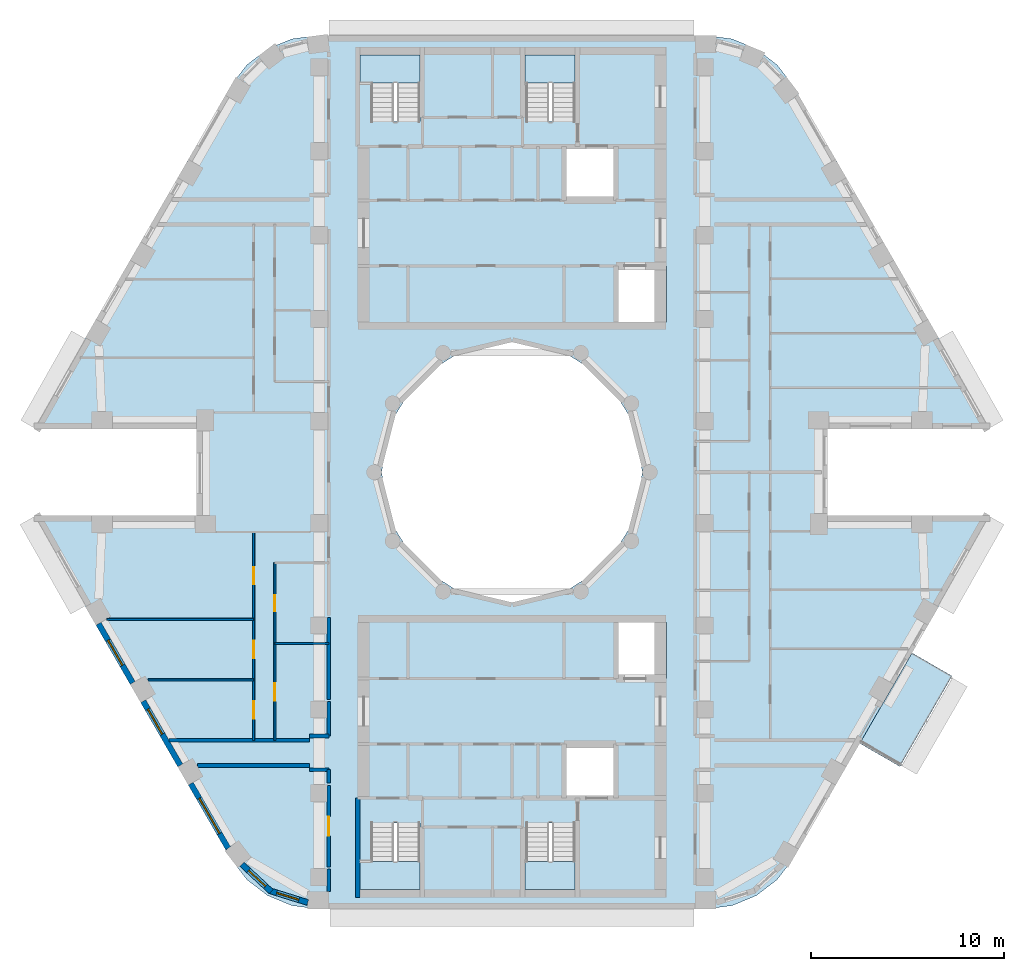
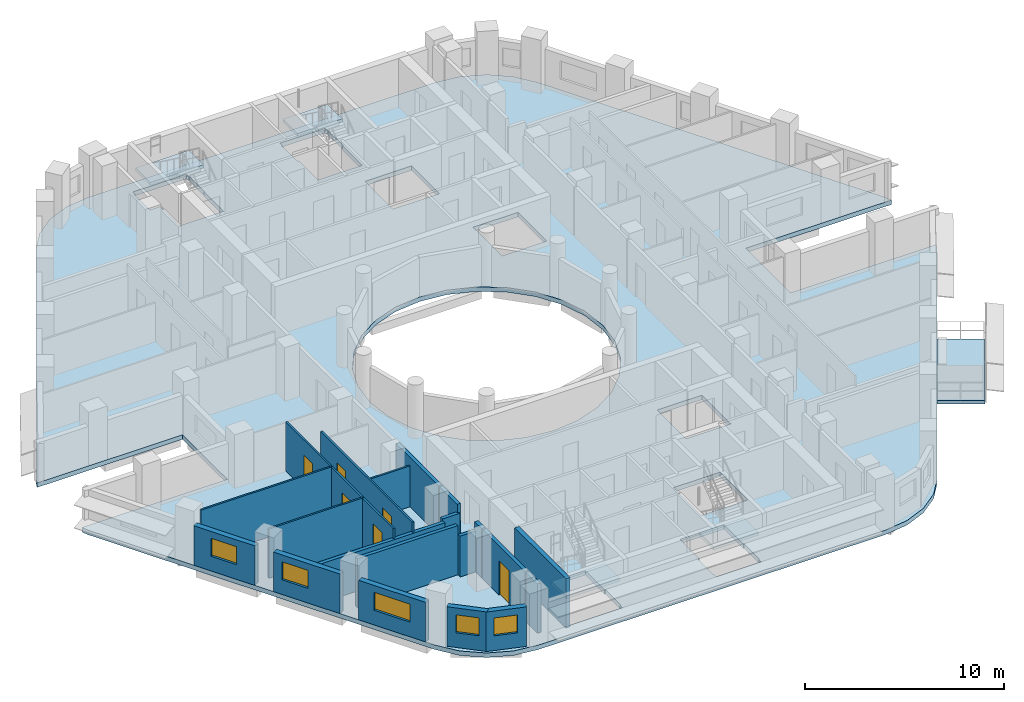
# One storey, part 2 of 12: 20 walls, 6 doors, 6 slabs, 5 windows, 11 openings, 4 elements without a shape of their own.
"""IFC4 building model written with IfcOpenShell, lengths in metres."""

from ifc_helpers import new_model, si_unit, direction, frame, frame_2d, origin, place, context, subcontext, project, spatial, polyline, rectangle, outline, extrude, material, layer, layer_set, type_object, element, fill, aggregate, save


model = new_model("IFC4")

# Units and contexts
model_context = context("Model", 3, precision=1e-05, world=origin(), true_north=direction((0.0, 1.0)))
body_context = subcontext(model_context, "Body", "Model", "MODEL_VIEW")
ifc_project = project(units=[si_unit("LENGTHUNIT", "METRE"), si_unit("AREAUNIT", "SQUARE_METRE"), si_unit("VOLUMEUNIT", "CUBIC_METRE"), si_unit("PLANEANGLEUNIT", "RADIAN"), si_unit("MASSUNIT", "GRAM", prefix="KILO")], contexts=[model_context])

# Site, building, storey
site_placement = place(None, origin())
site = spatial("IfcSite", under=ifc_project, at=site_placement, CompositionType="ELEMENT")
building_placement = place(site_placement, origin())
building = spatial("IfcBuilding", under=site, at=building_placement, Name="Nakaniwa Court", CompositionType="ELEMENT")
storey_placement = place(building_placement, frame((0.0, 0.0, 232.800048828125)))
storey = spatial("IfcBuildingStorey", under=building, at=storey_placement, Name="L60", CompositionType="ELEMENT", Elevation=232.800048828125)

# Slabs
ifc_material_1 = material(Name="Charcoal ceramic paver")
ifc_layer_1 = layer(ifc_material_1, 0.02, Name="Ceramic paver")
ifc_material_2 = material(Name="Cement sand screed")
ifc_layer_2 = layer(ifc_material_2, 0.03, Name="Falls screed")
ifc_material_3 = material(Name="Concrete C40/50", Category="concrete")
ifc_layer_3 = layer(ifc_material_3, 0.15, Name="Balcony slab")
ifc_layer_set_1 = layer_set([ifc_layer_1, ifc_layer_2, ifc_layer_3], Name="Concrete C40/50 balcony slab with ceramic paver finish")
slab_type_1 = type_object("IfcSlabType", Name="Balcony slab 200", PredefinedType="FLOOR", material=ifc_layer_set_1)
slab_1_placement = place(storey_placement, frame((0.0, 0.0, -0.25)))
element("IfcSlab", 1, at=slab_1_placement, inside=storey, type_object=slab_type_1, Name="L60 balcony 01", PredefinedType="FLOOR", context=body_context, shape_type="SweptSolid", body=[
    extrude(outline(polyline([(98.03662109375, 65.93994140625), (100.744140625, 70.629638671875), (102.822509765625, 69.4296875), (100.114990234375, 64.739990234375), (98.03662109375, 65.93994140625)])), origin(), (0.0, 0.0, 1.0), 0.199951171875),
])
ifc_material_4 = material(Name="Concrete C80/100", Category="concrete")
ifc_layer_4 = layer(ifc_material_4, 0.27490234375)
ifc_layer_set_2 = layer_set([ifc_layer_4], Name="Concrete C80/100")
slab_type_2 = type_object("IfcSlabType", Name="Concrete C80/100 post tensioned floor slab 275", PredefinedType="FLOOR", material=ifc_layer_set_2)
slab_2_placement = place(storey_placement, frame((0.0, 0.0, -0.275146484375)))
element("IfcSlab", 2, at=slab_2_placement, inside=storey, type_object=slab_type_2, Name="FLOOR SLAB", PredefinedType="FLOOR", context=body_context, shape_type="SweptSolid", body=[
    extrude(outline(polyline([(96.349609375, 82.25), (104.7978515625, 82.25), (104.65283203125, 82.60009765625), (94.578125, 100.050048828125), (93.751708984375, 101.126953125), (92.6748046875, 101.953369140625), (91.420654296875, 102.472900390625), (90.07470703125, 102.64990234375), (69.92529296875, 102.64990234375), (68.579345703125, 102.472900390625), (67.3251953125, 101.953369140625), (66.248291015625, 101.126953125), (65.421875, 100.050048828125), (55.34716796875, 82.60009765625), (55.2021484375, 82.25), (63.650390625, 82.25), (63.650390625, 77.75), (55.2021484375, 77.75), (55.34716796875, 77.39990234375), (65.421875, 59.949951171875), (66.248291015625, 58.873046875), (67.3251953125, 58.046630859375), (68.579345703125, 57.527099609375), (69.92529296875, 57.35009765625), (90.07470703125, 57.35009765625), (91.420654296875, 57.527099609375), (92.6748046875, 58.046630859375), (93.751708984375, 58.873046875), (94.578125, 59.949951171875), (104.65283203125, 77.39990234375), (104.7978515625, 77.75), (96.349609375, 77.75), (96.349609375, 82.25)]), holes=[polyline([(81.501953125, 86.580810546875), (80.0, 86.75), (78.498046875, 86.580810546875), (77.0712890625, 86.08154296875), (75.79150390625, 85.27734375), (74.72265625, 84.20849609375), (73.91845703125, 82.9287109375), (73.419189453125, 81.501953125), (73.25, 80.0), (73.419189453125, 78.498046875), (73.91845703125, 77.0712890625), (74.72265625, 75.79150390625), (75.79150390625, 74.72265625), (77.0712890625, 73.91845703125), (78.498046875, 73.419189453125), (80.0, 73.25), (81.501953125, 73.419189453125), (82.9287109375, 73.91845703125), (84.20849609375, 74.72265625), (85.27734375, 75.79150390625), (86.08154296875, 77.0712890625), (86.580810546875, 78.498046875), (86.75, 80.0), (86.580810546875, 81.501953125), (86.08154296875, 82.9287109375), (85.27734375, 84.20849609375), (84.20849609375, 85.27734375), (82.9287109375, 86.08154296875), (81.501953125, 86.580810546875)]), polyline([(72.675048828125, 61.81005859375), (72.675048828125, 59.864990234375), (72.0849609375, 59.864990234375), (72.0849609375, 58.31005859375), (72.125, 58.31005859375), (72.125, 58.074951171875), (75.22509765625, 58.074951171875), (75.22509765625, 58.31005859375), (75.264892578125, 58.31005859375), (75.264892578125, 59.864990234375), (75.22509765625, 59.864990234375), (75.22509765625, 61.81005859375), (72.675048828125, 61.81005859375)]), polyline([(83.27490234375, 61.81005859375), (80.72509765625, 61.81005859375), (80.72509765625, 59.864990234375), (80.635009765625, 59.864990234375), (80.635009765625, 58.31005859375), (80.675048828125, 58.31005859375), (80.675048828125, 58.074951171875), (83.27490234375, 58.074951171875), (83.27490234375, 58.31005859375), (83.31494140625, 58.31005859375), (83.31494140625, 59.864990234375), (83.27490234375, 59.864990234375), (83.27490234375, 61.81005859375)]), polyline([(75.264892578125, 101.68994140625), (75.22509765625, 101.68994140625), (75.22509765625, 101.925048828125), (72.125, 101.925048828125), (72.125, 101.68994140625), (72.0849609375, 101.68994140625), (72.0849609375, 100.135009765625), (72.675048828125, 100.135009765625), (72.675048828125, 98.18994140625), (75.22509765625, 98.18994140625), (75.22509765625, 100.135009765625), (75.264892578125, 100.135009765625), (75.264892578125, 101.68994140625)]), polyline([(83.31494140625, 100.135009765625), (83.31494140625, 101.68994140625), (83.27490234375, 101.68994140625), (83.27490234375, 101.925048828125), (80.675048828125, 101.925048828125), (80.675048828125, 101.68994140625), (80.635009765625, 101.68994140625), (80.635009765625, 100.135009765625), (80.72509765625, 100.135009765625), (80.72509765625, 98.18994140625), (83.27490234375, 98.18994140625), (83.27490234375, 100.135009765625), (83.31494140625, 100.135009765625)]), polyline([(85.39990234375, 65.89990234375), (82.699951171875, 65.89990234375), (82.699951171875, 63.10009765625), (85.39990234375, 63.10009765625), (85.39990234375, 65.89990234375)]), polyline([(88.0, 72.199951171875), (85.39990234375, 72.199951171875), (85.39990234375, 69.300048828125), (88.0, 69.300048828125), (88.0, 72.199951171875)]), polyline([(85.39990234375, 90.699951171875), (85.39990234375, 87.800048828125), (88.0, 87.800048828125), (88.0, 90.699951171875), (85.39990234375, 90.699951171875)]), polyline([(85.39990234375, 96.89990234375), (82.699951171875, 96.89990234375), (82.699951171875, 94.10009765625), (85.39990234375, 94.10009765625), (85.39990234375, 96.89990234375)])]), origin(), (0.0, 0.0, 1.0), 0.275146484375),
])

# Stair, slab
stair_type = type_object("IfcStairType", Name="Dog leg stair 1200 wide 18 risers", PredefinedType="HALF_TURN_STAIR", material=ifc_material_4)
stair_1_placement = place(storey_placement, origin())
stair_1 = element("IfcStair", 3, at=stair_1_placement, inside=storey, type_object=stair_type, Name="L60 Stair ST1", PredefinedType="HALF_TURN_STAIR")
ifc_layer_5 = layer(ifc_material_4, 0.199951171875)
ifc_layer_set_3 = layer_set([ifc_layer_5], Name="Concrete C80/100")
slab_type_3 = type_object("IfcSlabType", Name="Stair landing concrete", PredefinedType="LANDING", material=ifc_layer_set_3)
slab_3_placement = place(storey_placement, frame((0.0, 0.0, 1.449951171875)))
slab_3 = element("IfcSlab", 4, at=slab_3_placement, type_object=slab_type_3, Name="ST1 landing 1", PredefinedType="LANDING", context=body_context, shape_type="SweptSolid", body=[
    extrude(outline(polyline([(75.22509765625, 100.175048828125), (75.22509765625, 101.64990234375), (72.125, 101.64990234375), (72.125, 100.175048828125), (75.22509765625, 100.175048828125)])), origin(), (0.0, 0.0, 1.0), 0.199951171875),
])
aggregate(stair_1, [slab_3])

stair_2_placement = place(storey_placement, origin())
stair_2 = element("IfcStair", 5, at=stair_2_placement, inside=storey, type_object=stair_type, Name="L60 Stair ST2", PredefinedType="HALF_TURN_STAIR")
slab_4_placement = place(storey_placement, frame((0.0, 0.0, 1.449951171875)))
slab_4 = element("IfcSlab", 6, at=slab_4_placement, type_object=slab_type_3, Name="ST2 landing 1", PredefinedType="LANDING", context=body_context, shape_type="SweptSolid", body=[
    extrude(outline(polyline([(83.27490234375, 100.175048828125), (83.27490234375, 101.64990234375), (80.675048828125, 101.64990234375), (80.675048828125, 100.175048828125), (83.27490234375, 100.175048828125)])), origin(), (0.0, 0.0, 1.0), 0.199951171875),
])
aggregate(stair_2, [slab_4])

stair_3_placement = place(storey_placement, origin())
stair_3 = element("IfcStair", 7, at=stair_3_placement, inside=storey, type_object=stair_type, Name="L60 Stair ST3", PredefinedType="HALF_TURN_STAIR")
slab_5_placement = place(storey_placement, frame((0.0, 0.0, 1.449951171875)))
slab_5 = element("IfcSlab", 8, at=slab_5_placement, type_object=slab_type_3, Name="ST3 landing 1", PredefinedType="LANDING", context=body_context, shape_type="SweptSolid", body=[
    extrude(outline(polyline([(75.22509765625, 58.35009765625), (75.22509765625, 59.824951171875), (72.125, 59.824951171875), (72.125, 58.35009765625), (75.22509765625, 58.35009765625)])), origin(), (0.0, 0.0, 1.0), 0.199951171875),
])
aggregate(stair_3, [slab_5])

stair_4_placement = place(storey_placement, origin())
stair_4 = element("IfcStair", 9, at=stair_4_placement, inside=storey, type_object=stair_type, Name="L60 Stair ST4", PredefinedType="HALF_TURN_STAIR")
slab_6_placement = place(storey_placement, frame((0.0, 0.0, 1.449951171875)))
slab_6 = element("IfcSlab", 10, at=slab_6_placement, type_object=slab_type_3, Name="ST4 landing 1", PredefinedType="LANDING", context=body_context, shape_type="SweptSolid", body=[
    extrude(outline(polyline([(83.27490234375, 58.35009765625), (83.27490234375, 59.824951171875), (80.675048828125, 59.824951171875), (80.675048828125, 58.35009765625), (83.27490234375, 58.35009765625)])), origin(), (0.0, 0.0, 1.0), 0.199951171875),
])
aggregate(stair_4, [slab_6])

# Walls
ifc_material_5 = material(Name="Acoustic double stud partition")
ifc_layer_6 = layer(ifc_material_5, 0.199951171875)
ifc_layer_set_4 = layer_set([ifc_layer_6], Name="Acoustic double stud partition")
wall_type_1 = type_object("IfcWallType", Name="Acoustic double stud partition 200", PredefinedType="PARTITIONING", material=ifc_layer_set_4)
wall_1_placement = place(storey_placement, frame((63.68115234375, 64.800048828125, 0.0), z_axis=(0.0, 0.0, 1.0), x_axis=(1.0, 0.0, 0.0)))
element("IfcWall", 11, at=wall_1_placement, inside=storey, type_object=wall_type_1, Name="Partition PW-073", PredefinedType="PARTITIONING", context=body_context, shape_type="SweptSolid", body=[
    extrude(rectangle(XDim=5.81884765625, YDim=0.199951171875, at=frame_2d((2.909423828125, 0.0))), origin(), (0.0, 0.0, 1.0), 3.02490234375),
])
for number, where, z_axis, x_axis, name in (
    (12, (69.5, 64.574951171875, 0.0), (0.0, 0.0, 1.0), (1.0, 0.0, 0.0), "Partition PW-075"),
    (13, (69.5, 66.324951171875, 0.0), (0.0, 0.0, 1.0), (1.0, 0.0, 0.0), "Partition PW-077"),
):
    element("IfcWall", number, at=place(storey_placement, frame(where, z_axis=z_axis, x_axis=x_axis)), inside=storey, type_object=wall_type_1, Name=name, PredefinedType="PARTITIONING", context=body_context, shape_type="SweptSolid", body=[
        extrude(rectangle(XDim=1.0, YDim=0.199951171875, at=frame_2d((0.5, 0.0))), origin(), (0.0, 0.0, 1.0), 2.5048828125),
    ])
wall_2_placement = place(storey_placement, frame((62.217529296875, 66.10009765625, 0.0), z_axis=(0.0, 0.0, 1.0), x_axis=(1.0, 0.0, 0.0)))
element("IfcWall", 14, at=wall_2_placement, inside=storey, type_object=wall_type_1, Name="Partition PW-079", PredefinedType="PARTITIONING", context=body_context, shape_type="SweptSolid", body=[
    extrude(rectangle(XDim=7.282470703125, YDim=0.199951171875, at=frame_2d((3.64111328125, 0.0))), origin(), (0.0, 0.0, 1.0), 2.405029296875),
])
wall_3_placement = place(storey_placement, frame((70.5, 58.26708984375, 0.0), z_axis=(0.0, 0.0, 1.0), x_axis=(0.0, 1.0, 0.0)))
element("IfcWall", 15, at=wall_3_placement, inside=storey, type_object=wall_type_1, Name="Partition PW-081", PredefinedType="PARTITIONING", context=body_context, shape_type="SweptSolid", body=[
    extrude(rectangle(XDim=1.14599609375, YDim=0.199951171875, at=frame_2d((0.572998046875, 0.0))), origin(), (0.0, 0.0, 1.0), 3.02490234375),
])

# Wall, opening, door
wall_4_placement = place(storey_placement, frame((70.5, 59.527099609375, 0.0), z_axis=(0.0, 0.0, 1.0), x_axis=(0.0, 1.0, 0.0)))
wall_4 = element("IfcWall", 16, at=wall_4_placement, inside=storey, type_object=wall_type_1, Name="Partition PW-082", PredefinedType="PARTITIONING", context=body_context, shape_type="SweptSolid", body=[
    extrude(rectangle(XDim=4.23583984375, YDim=0.199951171875, at=frame_2d((2.117919921875, 0.0))), origin(), (0.0, 0.0, 1.0), 3.02490234375),
])
opening_1_placement = place(wall_4_placement, frame((1.617919921875, 0.0, 0.0)))
opening_1 = element("IfcOpeningElement", 17, at=opening_1_placement, cuts=wall_4, Name="Opening D-02-03", PredefinedType="OPENING", context=body_context, shape_type="SweptSolid", body=[
    extrude(rectangle(XDim=1.0, YDim=2.10009765625, at=frame_2d((0.5, 1.050048828125))), frame((0.0, 0.10986328125, 0.0), z_axis=(0.0, -1.0, 0.0), x_axis=(1.0, 0.0, 0.0)), (0.0, 0.0, 1.0), 0.219970703125),
])
ifc_material_6 = material(Name="Solid core timber door set, black veneer", Category="wood")
door_type_1 = type_object("IfcDoorType", Name="Internal door 1000", OperationType="NOTDEFINED", PredefinedType="DOOR", material=ifc_material_6)
door_1_placement = place(opening_1_placement, origin())
door_1 = element("IfcDoor", 18, at=door_1_placement, inside=storey, type_object=door_type_1, Name="Door D-02-03 L60-047", OperationType="SINGLE_SWING_RIGHT", OverallHeight=2.10009765625, OverallWidth=1.0, PredefinedType="DOOR", context=body_context, shape_type="SweptSolid", body=[
    extrude(rectangle(XDim=1.0, YDim=2.10009765625, at=frame_2d((0.5, 1.050048828125))), frame((0.0, 0.02490234375, 0.0), z_axis=(0.0, -1.0, 0.0), x_axis=(1.0, 0.0, 0.0)), (0.0, 0.0, 1.0), 0.050048828125),
])
fill(opening_1, door_1)

# Walls
wall_5_placement = place(storey_placement, frame((70.5, 63.876953125, 0.0), z_axis=(0.0, 0.0, 1.0), x_axis=(0.0, 1.0, 0.0)))
element("IfcWall", 19, at=wall_5_placement, inside=storey, type_object=wall_type_1, Name="Partition PW-083", PredefinedType="PARTITIONING", context=body_context, shape_type="SweptSolid", body=[
    extrude(rectangle(XDim=0.700927734375, YDim=0.199951171875, at=frame_2d((0.3505859375, 0.0))), origin(), (0.0, 0.0, 1.0), 3.02490234375),
])
wall_6_placement = place(storey_placement, frame((70.5, 66.322021484375, 0.0), z_axis=(0.0, 0.0, 1.0), x_axis=(0.0, 1.0, 0.0)))
element("IfcWall", 20, at=wall_6_placement, inside=storey, type_object=wall_type_1, Name="Partition PW-084", PredefinedType="PARTITIONING", context=body_context, shape_type="SweptSolid", body=[
    extrude(rectangle(XDim=1.791015625, YDim=0.199951171875, at=frame_2d((0.8955078125, 0.0))), origin(), (0.0, 0.0, 1.0), 3.02490234375),
])
wall_7_placement = place(storey_placement, frame((70.5, 68.22705078125, 0.0), z_axis=(0.0, 0.0, 1.0), x_axis=(0.0, 1.0, 0.0)))
element("IfcWall", 21, at=wall_7_placement, inside=storey, type_object=wall_type_1, Name="Partition PW-085", PredefinedType="PARTITIONING", context=body_context, shape_type="SweptSolid", body=[
    extrude(rectangle(XDim=4.23583984375, YDim=0.199951171875, at=frame_2d((2.117919921875, 0.0))), origin(), (0.0, 0.0, 1.0), 3.02490234375),
])

# Wall, opening, window
ifc_material_7 = material(Name="Charcoal ceramic cladding")
ifc_layer_7 = layer(ifc_material_7, 0.02, Name="Ceramic cladding")
ifc_material_8 = material(Name="Ventilated air cavity")
ifc_layer_8 = layer(ifc_material_8, 0.04, ventilated=True, Name="Ventilated cavity")
ifc_material_9 = material(Name="Mineral wool insulation")
ifc_layer_9 = layer(ifc_material_9, 0.1, Name="Insulation")
ifc_material_10 = material(Name="Cement bonded sheathing board")
ifc_layer_10 = layer(ifc_material_10, 0.012, Name="Sheathing")
ifc_material_11 = material(Name="Cold-formed galvanised stud frame with mineral wool infill")
ifc_layer_11 = layer(ifc_material_11, 0.1, Name="Stud frame")
ifc_material_12 = material(Name="Fire-rated gypsum plasterboard lining")
ifc_layer_12 = layer(ifc_material_12, 0.028, Name="Lining")
ifc_layer_set_5 = layer_set([ifc_layer_7, ifc_layer_8, ifc_layer_9, ifc_layer_10, ifc_layer_11, ifc_layer_12], Name="Charcoal ceramic faced external wall system")
wall_type_2 = type_object("IfcWallType", Name="Black ceramic faced external wall 300", PredefinedType="SOLIDWALL", material=ifc_layer_set_5)
wall_8_placement = place(storey_placement, frame((58.55419921875, 72.14501953125, 0.0), z_axis=(0.0, 0.0, 1.0), x_axis=(0.500010404316, -0.866019396766, 0.0)))
wall_8 = element("IfcWall", 22, at=wall_8_placement, inside=storey, type_object=wall_type_2, Name="L60 external wall 21", PredefinedType="SOLIDWALL", context=body_context, shape_type="SweptSolid", body=[
    extrude(rectangle(XDim=3.54736328125, YDim=0.300048828125, at=frame_2d((1.773681640625, 0.0))), origin(), (0.0, 0.0, 1.0), 2.425048828125),
])
opening_2_placement = place(wall_8_placement, frame((0.990966796875, 0.0, 0.89990234375)))
opening_2 = element("IfcOpeningElement", 23, at=opening_2_placement, cuts=wall_8, Name="Opening W5.20", PredefinedType="OPENING", context=body_context, shape_type="SweptSolid", body=[
    extrude(rectangle(XDim=1.5, YDim=1.10009765625, at=frame_2d((0.75, 0.550048828125))), frame((0.0, 0.159912109375, 0.0), z_axis=(0.0, -1.0, 0.0), x_axis=(1.0, 0.0, 0.0)), (0.0, 0.0, 1.0), 0.320068359375),
])
ifc_material_13 = material(Name="Black anodised aluminium frame with dark low-E laminated double glazing", Category="aluminium")
window_type_1 = type_object("IfcWindowType", Name="Dark glass window 1500x1100 sill 900", PartitioningType="SINGLE_PANEL", PredefinedType="WINDOW", material=ifc_material_13)
window_1_placement = place(opening_2_placement, origin())
window_1 = element("IfcWindow", 24, at=window_1_placement, inside=storey, type_object=window_type_1, Name="L60 bedroom window 21-0", OverallHeight=1.10009765625, OverallWidth=1.5, PartitioningType="SINGLE_PANEL", PredefinedType="WINDOW", context=body_context, shape_type="SweptSolid", body=[
    extrude(rectangle(XDim=1.5, YDim=1.10009765625, at=frame_2d((0.75, 0.550048828125))), frame((0.0, 0.030029296875, 0.0), z_axis=(0.0, -1.0, 0.0), x_axis=(1.0, 0.0, 0.0)), (0.0, 0.0, 1.0), 0.06005859375),
])
fill(opening_2, window_1)

wall_9_placement = place(storey_placement, frame((60.873779296875, 68.12744140625, 0.0), z_axis=(0.0, 0.0, 1.0), x_axis=(0.499984490703, -0.866034357896, 0.0)))
wall_9 = element("IfcWall", 25, at=wall_9_placement, inside=storey, type_object=wall_type_2, Name="L60 external wall 22", PredefinedType="SOLIDWALL", context=body_context, shape_type="SweptSolid", body=[
    extrude(rectangle(XDim=3.84423828125, YDim=0.300048828125, at=frame_2d((1.922119140625, 0.0))), origin(), (0.0, 0.0, 1.0), 2.425048828125),
])
opening_3_placement = place(wall_9_placement, frame((0.481689453125, 0.0, 0.89990234375)))
opening_3 = element("IfcOpeningElement", 26, at=opening_3_placement, cuts=wall_9, Name="Opening W5.21", PredefinedType="OPENING", context=body_context, shape_type="SweptSolid", body=[
    extrude(rectangle(XDim=1.5, YDim=1.10009765625, at=frame_2d((0.75, 0.550048828125))), frame((0.0, 0.159912109375, 0.0), z_axis=(0.0, -1.0, 0.0), x_axis=(1.0, 0.0, 0.0)), (0.0, 0.0, 1.0), 0.320068359375),
])
window_2_placement = place(opening_3_placement, origin())
window_2 = element("IfcWindow", 27, at=window_2_placement, inside=storey, type_object=window_type_1, Name="L60 bedroom window 22-0", OverallHeight=1.10009765625, OverallWidth=1.5, PartitioningType="SINGLE_PANEL", PredefinedType="WINDOW", context=body_context, shape_type="SweptSolid", body=[
    extrude(rectangle(XDim=1.5, YDim=1.10009765625, at=frame_2d((0.75, 0.550048828125))), frame((0.0, 0.030029296875, 0.0), z_axis=(0.0, -1.0, 0.0), x_axis=(1.0, 0.0, 0.0)), (0.0, 0.0, 1.0), 0.06005859375),
])
fill(opening_3, window_2)

wall_10_placement = place(storey_placement, frame((63.342041015625, 63.8525390625, 0.0), z_axis=(0.0, 0.0, 1.0), x_axis=(0.500011218404, -0.866018926739, 0.0)))
wall_10 = element("IfcWall", 28, at=wall_10_placement, inside=storey, type_object=wall_type_2, Name="L60 external wall 23", PredefinedType="SOLIDWALL", context=body_context, shape_type="SweptSolid", body=[
    extrude(rectangle(XDim=3.87890625, YDim=0.300048828125, at=frame_2d((1.939453125, 0.0))), origin(), (0.0, 0.0, 1.0), 2.425048828125),
])
opening_4_placement = place(wall_10_placement, frame((0.878173828125, 0.0, 0.89990234375)))
opening_4 = element("IfcOpeningElement", 29, at=opening_4_placement, cuts=wall_10, Name="Opening W7.22", PredefinedType="OPENING", context=body_context, shape_type="SweptSolid", body=[
    extrude(rectangle(XDim=2.10009765625, YDim=1.10009765625, at=frame_2d((1.050048828125, 0.550048828125))), frame((0.0, 0.159912109375, 0.0), z_axis=(0.0, -1.0, 0.0), x_axis=(1.0, 0.0, 0.0)), (0.0, 0.0, 1.0), 0.320068359375),
])
window_type_2 = type_object("IfcWindowType", Name="Dark glass window 2100x1100 sill 900", PartitioningType="SINGLE_PANEL", PredefinedType="WINDOW", material=ifc_material_13)
window_3_placement = place(opening_4_placement, origin())
window_3 = element("IfcWindow", 30, at=window_3_placement, inside=storey, type_object=window_type_2, Name="L60 habitable room window 23-0", OverallHeight=1.10009765625, OverallWidth=2.10009765625, PartitioningType="SINGLE_PANEL", PredefinedType="WINDOW", context=body_context, shape_type="SweptSolid", body=[
    extrude(rectangle(XDim=2.10009765625, YDim=1.10009765625, at=frame_2d((1.050048828125, 0.550048828125))), frame((0.0, 0.030029296875, 0.0), z_axis=(0.0, -1.0, 0.0), x_axis=(1.0, 0.0, 0.0)), (0.0, 0.0, 1.0), 0.06005859375),
])
fill(opening_4, window_3)

wall_11_placement = place(storey_placement, frame((65.99609375, 59.665283203125, 0.0), z_axis=(0.0, 0.0, 1.0), x_axis=(0.731942518471, -0.6813663843, 0.0)))
wall_11 = element("IfcWall", 31, at=wall_11_placement, inside=storey, type_object=wall_type_2, Name="L60 external wall 24", PredefinedType="SOLIDWALL", context=body_context, shape_type="SweptSolid", body=[
    extrude(rectangle(XDim=2.07568359375, YDim=0.300048828125, at=frame_2d((1.037841796875, 0.0))), origin(), (0.0, 0.0, 1.0), 2.425048828125),
])
opening_5_placement = place(wall_11_placement, frame((0.464111328125, 0.0, 0.89990234375)))
opening_5 = element("IfcOpeningElement", 32, at=opening_5_placement, cuts=wall_11, Name="Opening W6.23", PredefinedType="OPENING", context=body_context, shape_type="SweptSolid", body=[
    extrude(rectangle(XDim=1.199951171875, YDim=1.10009765625, at=frame_2d((0.60009765625, 0.550048828125))), frame((0.0, 0.159912109375, 0.0), z_axis=(0.0, -1.0, 0.0), x_axis=(1.0, 0.0, 0.0)), (0.0, 0.0, 1.0), 0.320068359375),
])
window_type_3 = type_object("IfcWindowType", Name="Dark glass window 1200x1100 sill 900", PartitioningType="SINGLE_PANEL", PredefinedType="WINDOW", material=ifc_material_13)
window_4_placement = place(opening_5_placement, origin())
window_4 = element("IfcWindow", 33, at=window_4_placement, inside=storey, type_object=window_type_3, Name="L60 habitable room window 24-0", OverallHeight=1.10009765625, OverallWidth=1.199951171875, PartitioningType="SINGLE_PANEL", PredefinedType="WINDOW", context=body_context, shape_type="SweptSolid", body=[
    extrude(rectangle(XDim=1.199951171875, YDim=1.10009765625, at=frame_2d((0.60009765625, 0.550048828125))), frame((0.0, 0.030029296875, 0.0), z_axis=(0.0, -1.0, 0.0), x_axis=(1.0, 0.0, 0.0)), (0.0, 0.0, 1.0), 0.06005859375),
])
fill(opening_5, window_4)

wall_12_placement = place(storey_placement, frame((67.406494140625, 58.3076171875, 0.0), z_axis=(0.0, 0.0, 1.0), x_axis=(0.954761314907, -0.297373219301, 0.0)))
wall_12 = element("IfcWall", 34, at=wall_12_placement, inside=storey, type_object=wall_type_2, Name="L60 external wall 25", PredefinedType="SOLIDWALL", context=body_context, shape_type="SweptSolid", body=[
    extrude(rectangle(XDim=2.096923828125, YDim=0.300048828125, at=frame_2d((1.04833984375, 0.0))), origin(), (0.0, 0.0, 1.0), 2.425048828125),
])
opening_6_placement = place(wall_12_placement, frame((0.409423828125, 0.0, 0.89990234375)))
opening_6 = element("IfcOpeningElement", 35, at=opening_6_placement, cuts=wall_12, Name="Opening W6.24", PredefinedType="OPENING", context=body_context, shape_type="SweptSolid", body=[
    extrude(rectangle(XDim=1.199951171875, YDim=1.10009765625, at=frame_2d((0.60009765625, 0.550048828125))), frame((0.0, 0.159912109375, 0.0), z_axis=(0.0, -1.0, 0.0), x_axis=(1.0, 0.0, 0.0)), (0.0, 0.0, 1.0), 0.320068359375),
])
window_5_placement = place(opening_6_placement, origin())
window_5 = element("IfcWindow", 36, at=window_5_placement, inside=storey, type_object=window_type_3, Name="L60 habitable room window 25-0", OverallHeight=1.10009765625, OverallWidth=1.199951171875, PartitioningType="SINGLE_PANEL", PredefinedType="WINDOW", context=body_context, shape_type="SweptSolid", body=[
    extrude(rectangle(XDim=1.199951171875, YDim=1.10009765625, at=frame_2d((0.60009765625, 0.550048828125))), frame((0.0, 0.030029296875, 0.0), z_axis=(0.0, -1.0, 0.0), x_axis=(1.0, 0.0, 0.0)), (0.0, 0.0, 1.0), 0.06005859375),
])
fill(opening_6, window_5)

# Walls
ifc_layer_13 = layer(ifc_material_4, 0.25)
ifc_layer_set_6 = layer_set([ifc_layer_13], Name="Concrete C80/100")
wall_type_3 = type_object("IfcWallType", Name="Concrete core wall 250 C80", PredefinedType="SHEAR", material=ifc_layer_set_6)
wall_13_placement = place(storey_placement, frame((72.0, 57.949951171875, -0.275146484375), z_axis=(0.0, 0.0, 1.0), x_axis=(0.0, 1.0, 0.0)))
element("IfcWall", 37, at=wall_13_placement, inside=storey, type_object=wall_type_3, Name="Core wall SW-51", PredefinedType="SHEAR", context=body_context, shape_type="SweptSolid", body=[
    extrude(rectangle(XDim=5.150146484375, YDim=0.25, at=frame_2d((2.5751953125, 0.0))), origin(), (0.0, 0.0, 1.0), 3.300048828125),
])
ifc_material_14 = material(Name="Single stud plasterboard partition")
ifc_layer_14 = layer(ifc_material_14, 0.10009765625)
ifc_layer_set_7 = layer_set([ifc_layer_14], Name="Single stud plasterboard partition")
wall_type_4 = type_object("IfcWallType", Name="Single stud plasterboard partition 100", PredefinedType="PARTITIONING", material=ifc_layer_set_7)
wall_14_placement = place(storey_placement, frame((67.699951171875, 71.117919921875, 0.0), z_axis=(0.0, 0.0, 1.0), x_axis=(1.0, 0.0, 0.0)))
element("IfcWall", 38, at=wall_14_placement, inside=storey, type_object=wall_type_4, Name="Partition PW-106", PredefinedType="PARTITIONING", context=body_context, shape_type="SweptSolid", body=[
    extrude(rectangle(XDim=2.800048828125, YDim=0.10009765625, at=frame_2d((1.39990234375, 0.0))), origin(), (0.0, 0.0, 1.0), 2.5048828125),
])

# Wall, openings, doors
wall_15_placement = place(storey_placement, frame((67.699951171875, 75.300048828125, 0.0), z_axis=(0.0, 0.0, 1.0), x_axis=(0.0, -1.0, 0.0)))
wall_15 = element("IfcWall", 39, at=wall_15_placement, inside=storey, type_object=wall_type_4, Name="Partition PW-107", PredefinedType="PARTITIONING", context=body_context, shape_type="SweptSolid", body=[
    extrude(rectangle(XDim=9.199951171875, YDim=0.10009765625, at=frame_2d((4.60009765625, 0.0))), origin(), (0.0, 0.0, 1.0), 3.02490234375),
])
opening_7_placement = place(wall_15_placement, frame((6.240966796875, 0.0, 0.0)))
opening_7 = element("IfcOpeningElement", 40, at=opening_7_placement, cuts=wall_15, Name="Opening D-33-11", PredefinedType="OPENING", context=body_context, shape_type="SweptSolid", body=[
    extrude(rectangle(XDim=0.89990234375, YDim=2.10009765625, at=frame_2d((0.449951171875, 1.050048828125))), frame((0.0, 0.06005859375, 0.0), z_axis=(0.0, -1.0, 0.0), x_axis=(1.0, 0.0, 0.0)), (0.0, 0.0, 1.0), 0.1201171875),
])
opening_8_placement = place(wall_15_placement, frame((1.666015625, 0.0, 0.0)))
opening_8 = element("IfcOpeningElement", 41, at=opening_8_placement, cuts=wall_15, Name="Opening D-03-05", PredefinedType="OPENING", context=body_context, shape_type="SweptSolid", body=[
    extrude(rectangle(XDim=0.85009765625, YDim=2.10009765625, at=frame_2d((0.425048828125, 1.050048828125))), frame((0.0, 0.06005859375, 0.0), z_axis=(0.0, -1.0, 0.0), x_axis=(1.0, 0.0, 0.0)), (0.0, 0.0, 1.0), 0.1201171875),
])
ifc_material_15 = material(Name="Moisture sealed timber door set", Category="wood")
door_type_2 = type_object("IfcDoorType", Name="Bathroom door 850", OperationType="NOTDEFINED", PredefinedType="DOOR", material=ifc_material_15)
door_2_placement = place(opening_8_placement, origin())
door_2 = element("IfcDoor", 42, at=door_2_placement, inside=storey, type_object=door_type_2, Name="Door D-03-05 L60-050", OperationType="SINGLE_SWING_LEFT", OverallHeight=2.10009765625, OverallWidth=0.85009765625, PredefinedType="DOOR", context=body_context, shape_type="SweptSolid", body=[
    extrude(rectangle(XDim=0.85009765625, YDim=2.10009765625, at=frame_2d((0.425048828125, 1.050048828125))), frame((0.0, 0.02490234375, 0.0), z_axis=(0.0, -1.0, 0.0), x_axis=(1.0, 0.0, 0.0)), (0.0, 0.0, 1.0), 0.050048828125),
])
fill(opening_8, door_2)
door_type_3 = type_object("IfcDoorType", Name="Internal door 900", OperationType="NOTDEFINED", PredefinedType="DOOR", material=ifc_material_6)
door_3_placement = place(opening_7_placement, origin())
door_3 = element("IfcDoor", 43, at=door_3_placement, inside=storey, type_object=door_type_3, Name="Door D-33-11 L60-049", OperationType="SINGLE_SWING_RIGHT", OverallHeight=2.10009765625, OverallWidth=0.89990234375, PredefinedType="DOOR", context=body_context, shape_type="SweptSolid", body=[
    extrude(rectangle(XDim=0.89990234375, YDim=2.10009765625, at=frame_2d((0.449951171875, 1.050048828125))), frame((0.0, 0.02490234375, 0.0), z_axis=(0.0, -1.0, 0.0), x_axis=(1.0, 0.0, 0.0)), (0.0, 0.0, 1.0), 0.050048828125),
])
fill(opening_7, door_3)

wall_16_placement = place(storey_placement, frame((66.60009765625, 66.10009765625, 0.0), z_axis=(0.0, 0.0, 1.0), x_axis=(0.0, 1.0, 0.0)))
wall_16 = element("IfcWall", 44, at=wall_16_placement, inside=storey, type_object=wall_type_4, Name="Partition PW-110", PredefinedType="PARTITIONING", context=body_context, shape_type="SweptSolid", body=[
    extrude(rectangle(XDim=10.7998046875, YDim=0.10009765625, at=frame_2d((5.39990234375, 0.0))), origin(), (0.0, 0.0, 1.0), 3.02490234375),
])
opening_9_placement = place(wall_16_placement, frame((1.117919921875, 0.0, 0.0)))
opening_9 = element("IfcOpeningElement", 45, at=opening_9_placement, cuts=wall_16, Name="Opening D-33-12", PredefinedType="OPENING", context=body_context, shape_type="SweptSolid", body=[
    extrude(rectangle(XDim=0.89990234375, YDim=2.10009765625, at=frame_2d((0.449951171875, 1.050048828125))), frame((0.0, 0.06005859375, 0.0), z_axis=(0.0, -1.0, 0.0), x_axis=(1.0, 0.0, 0.0)), (0.0, 0.0, 1.0), 0.1201171875),
])
opening_10_placement = place(wall_16_placement, frame((4.2529296875, 0.0, 0.0)))
opening_10 = element("IfcOpeningElement", 46, at=opening_10_placement, cuts=wall_16, Name="Opening D-33-13", PredefinedType="OPENING", context=body_context, shape_type="SweptSolid", body=[
    extrude(rectangle(XDim=0.89990234375, YDim=2.10009765625, at=frame_2d((0.449951171875, 1.050048828125))), frame((0.0, 0.06005859375, 0.0), z_axis=(0.0, -1.0, 0.0), x_axis=(1.0, 0.0, 0.0)), (0.0, 0.0, 1.0), 0.1201171875),
])
opening_11_placement = place(wall_16_placement, frame((8.0859375, 0.0, 0.0)))
opening_11 = element("IfcOpeningElement", 47, at=opening_11_placement, cuts=wall_16, Name="Opening D-33-14", PredefinedType="OPENING", context=body_context, shape_type="SweptSolid", body=[
    extrude(rectangle(XDim=0.89990234375, YDim=2.10009765625, at=frame_2d((0.449951171875, 1.050048828125))), frame((0.0, 0.06005859375, 0.0), z_axis=(0.0, -1.0, 0.0), x_axis=(1.0, 0.0, 0.0)), (0.0, 0.0, 1.0), 0.1201171875),
])
door_4_placement = place(opening_9_placement, origin())
door_4 = element("IfcDoor", 48, at=door_4_placement, inside=storey, type_object=door_type_3, Name="Door D-33-12 L60-051", OperationType="SINGLE_SWING_RIGHT", OverallHeight=2.10009765625, OverallWidth=0.89990234375, PredefinedType="DOOR", context=body_context, shape_type="SweptSolid", body=[
    extrude(rectangle(XDim=0.89990234375, YDim=2.10009765625, at=frame_2d((0.449951171875, 1.050048828125))), frame((0.0, 0.02490234375, 0.0), z_axis=(0.0, -1.0, 0.0), x_axis=(1.0, 0.0, 0.0)), (0.0, 0.0, 1.0), 0.050048828125),
])
fill(opening_9, door_4)
door_5_placement = place(opening_10_placement, origin())
door_5 = element("IfcDoor", 49, at=door_5_placement, inside=storey, type_object=door_type_3, Name="Door D-33-13 L60-052", OperationType="SINGLE_SWING_LEFT", OverallHeight=2.10009765625, OverallWidth=0.89990234375, PredefinedType="DOOR", context=body_context, shape_type="SweptSolid", body=[
    extrude(rectangle(XDim=0.89990234375, YDim=2.10009765625, at=frame_2d((0.449951171875, 1.050048828125))), frame((0.0, 0.02490234375, 0.0), z_axis=(0.0, -1.0, 0.0), x_axis=(1.0, 0.0, 0.0)), (0.0, 0.0, 1.0), 0.050048828125),
])
fill(opening_10, door_5)
door_6_placement = place(opening_11_placement, origin())
door_6 = element("IfcDoor", 50, at=door_6_placement, inside=storey, type_object=door_type_3, Name="Door D-33-14 L60-053", OperationType="SINGLE_SWING_RIGHT", OverallHeight=2.10009765625, OverallWidth=0.89990234375, PredefinedType="DOOR", context=body_context, shape_type="SweptSolid", body=[
    extrude(rectangle(XDim=0.89990234375, YDim=2.10009765625, at=frame_2d((0.449951171875, 1.050048828125))), frame((0.0, 0.02490234375, 0.0), z_axis=(0.0, -1.0, 0.0), x_axis=(1.0, 0.0, 0.0)), (0.0, 0.0, 1.0), 0.050048828125),
])
fill(opening_11, door_6)

# Walls
wall_17_placement = place(storey_placement, frame((61.123291015625, 69.236083984375, 0.0), z_axis=(0.0, 0.0, 1.0), x_axis=(1.0, 0.0, 0.0)))
element("IfcWall", 51, at=wall_17_placement, inside=storey, type_object=wall_type_4, Name="Partition PW-113", PredefinedType="PARTITIONING", context=body_context, shape_type="SweptSolid", body=[
    extrude(rectangle(XDim=5.476806640625, YDim=0.10009765625, at=frame_2d((2.73828125, 0.0))), origin(), (0.0, 0.0, 1.0), 3.02490234375),
])
wall_18_placement = place(storey_placement, frame((58.993896484375, 72.37109375, 0.0), z_axis=(0.0, 0.0, 1.0), x_axis=(1.0, 0.0, 0.0)))
element("IfcWall", 52, at=wall_18_placement, inside=storey, type_object=wall_type_4, Name="Partition PW-114", PredefinedType="PARTITIONING", context=body_context, shape_type="SweptSolid", body=[
    extrude(rectangle(XDim=7.606201171875, YDim=0.10009765625, at=frame_2d((3.80322265625, 0.0))), origin(), (0.0, 0.0, 1.0), 3.02490234375),
])

save(model, "model.ifc")
